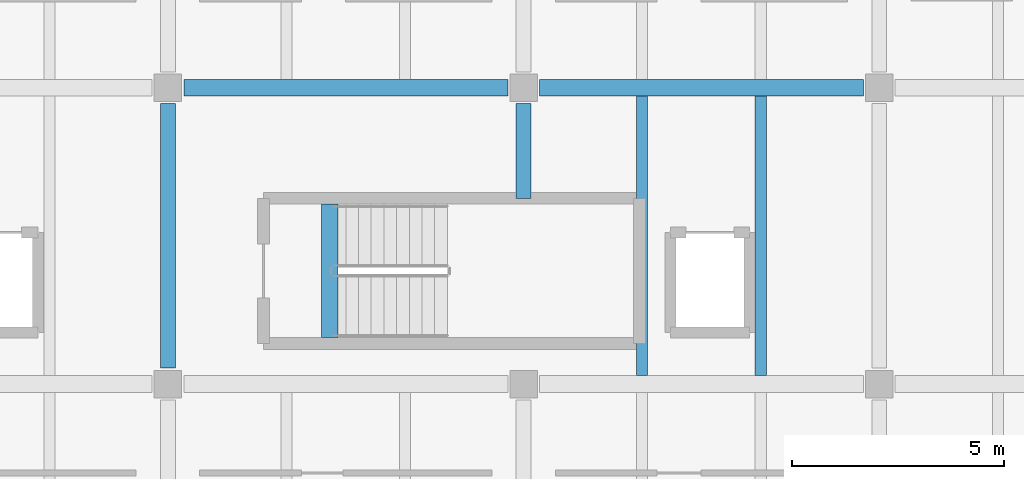
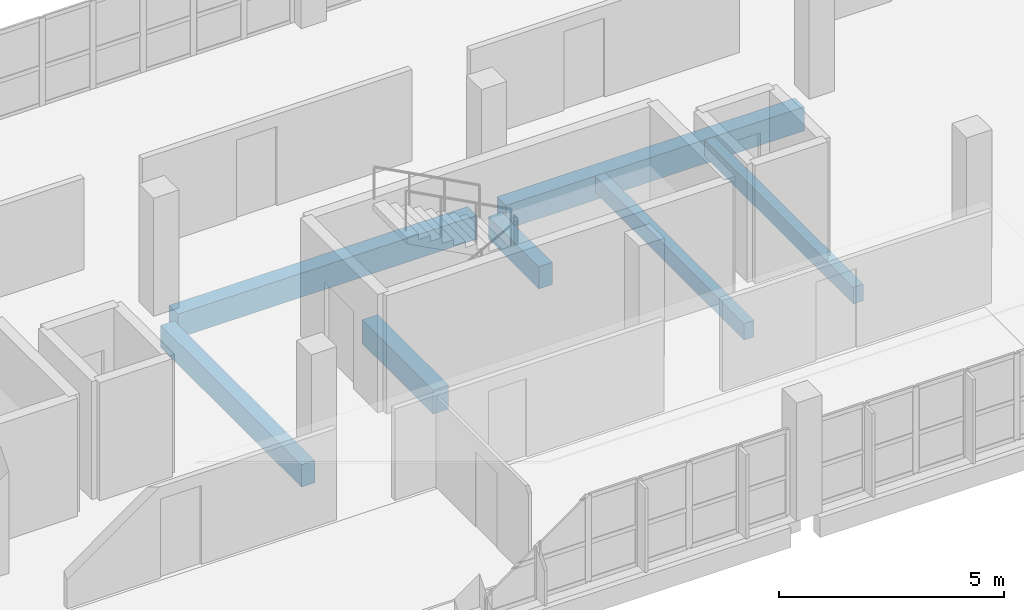
# One storey, part 8 of 33: 7 beams.
"""IFC4 building model written with IfcOpenShell, lengths in metres."""

from ifc_helpers import new_model, si_unit, direction, frame, origin, origin_2d, place, context, subcontext, project, spatial, rectangle, extrude, material, material_profile, profile_set, type_object, element, save


model = new_model("IFC4")

# Units and contexts
model_context = context("Model", 3, precision=1e-05, world=origin(), true_north=direction((0.0, 1.0)))
body_context = subcontext(model_context, "Body", "Model", "MODEL_VIEW")
ifc_project = project(units=[si_unit("LENGTHUNIT", "METRE"), si_unit("AREAUNIT", "SQUARE_METRE"), si_unit("VOLUMEUNIT", "CUBIC_METRE"), si_unit("PLANEANGLEUNIT", "RADIAN"), si_unit("MASSUNIT", "GRAM", prefix="KILO"), si_unit("THERMODYNAMICTEMPERATUREUNIT", "KELVIN"), si_unit("POWERUNIT", "WATT")], contexts=[model_context])

# Site, building, storey
site_placement = place(None, origin())
site = spatial("IfcSite", under=ifc_project, at=site_placement, CompositionType="ELEMENT")
building_placement = place(site_placement, origin())
building = spatial("IfcBuilding", under=site, at=building_placement, Name="Mavoryth Pier Ferry Terminal", CompositionType="ELEMENT")
storey_placement = place(building_placement, frame((0.0, 0.0, 13.1201171875)))
storey = spatial("IfcBuildingStorey", under=building, at=storey_placement, Name="L03", CompositionType="ELEMENT", Elevation=13.1201171875)

# Beams
ifc_material = material(Name="Concrete C35/45", Category="concrete")
ifc_material_profile_1 = material_profile(ifc_material, rectangle(XDim=0.35009765625, YDim=0.60009765625, at=origin_2d()), Name="RC 350x600", Category="concrete")
ifc_profile_set_1 = profile_set([ifc_material_profile_1], Name="Concrete C35/45 - RC 350x600")
beam_type_1 = type_object("IfcBeamType", Name="Girder-RC-350x600", PredefinedType="BEAM", material=ifc_profile_set_1)
beam_1_placement = place(storey_placement, frame((58.800048828125, 7.375, -0.56005859375), z_axis=(0.0, 1.0, 0.0), x_axis=(-1.0, 0.0, 0.0)))
element("IfcBeam", 1, at=beam_1_placement, inside=storey, type_object=beam_type_1, Name="Beam B03-BG08-1264", PredefinedType="BEAM", context=body_context, shape_type="SweptSolid", body=[
    extrude(rectangle(XDim=0.35009765625, YDim=0.60009765625, at=origin_2d()), origin(), (0.0, 0.0, 1.0), 6.25),
])
beam_2_placement = place(storey_placement, frame((67.199951171875, 11.3798828125, -0.56005859375), z_axis=(0.0, 1.0, 0.0), x_axis=(-1.0, 0.0, 0.0)))
element("IfcBeam", 2, at=beam_2_placement, inside=storey, type_object=beam_type_1, Name="Beam B03-BG08-1267", PredefinedType="BEAM", context=body_context, shape_type="SweptSolid", body=[
    extrude(rectangle(XDim=0.35009765625, YDim=0.60009765625, at=origin_2d()), origin(), (0.0, 0.0, 1.0), 2.2451171875),
])
ifc_material_profile_2 = material_profile(ifc_material, rectangle(XDim=0.39990234375, YDim=0.64990234375, at=origin_2d()), Name="RC 400x650", Category="concrete")
ifc_profile_set_2 = profile_set([ifc_material_profile_2], Name="Concrete C35/45 - RC 400x650")
beam_type_2 = type_object("IfcBeamType", Name="Girder-RC-400x650", PredefinedType="BEAM", material=ifc_profile_set_2)
beam_3_placement = place(storey_placement, frame((59.175048828125, 14.0, -0.585205078125), z_axis=(1.0, 0.0, 0.0), x_axis=(0.0, 1.0, 0.0)))
element("IfcBeam", 3, at=beam_3_placement, inside=storey, type_object=beam_type_2, Name="Beam B03-BG05-1247", PredefinedType="BEAM", context=body_context, shape_type="SweptSolid", body=[
    extrude(rectangle(XDim=0.39990234375, YDim=0.64990234375, at=origin_2d()), origin(), (0.0, 0.0, 1.0), 7.64990234375),
])
beam_4_placement = place(storey_placement, frame((67.574951171875, 14.0, -0.585205078125), z_axis=(1.0, 0.0, 0.0), x_axis=(0.0, 1.0, 0.0)))
element("IfcBeam", 4, at=beam_4_placement, inside=storey, type_object=beam_type_2, Name="Beam B03-BG05-1248", PredefinedType="BEAM", context=body_context, shape_type="SweptSolid", body=[
    extrude(rectangle(XDim=0.39990234375, YDim=0.64990234375, at=origin_2d()), origin(), (0.0, 0.0, 1.0), 7.650146484375),
])
beam_5_placement = place(storey_placement, frame((62.6201171875, 8.10009765625, -0.3251953125), z_axis=(0.0, 1.0, 0.0), x_axis=(-1.0, 0.0, 0.0)))
element("IfcBeam", 5, at=beam_5_placement, inside=storey, type_object=beam_type_2, Name="Beam B03-BG05-1590", PredefinedType="BEAM", context=body_context, shape_type="SweptSolid", body=[
    extrude(rectangle(XDim=0.39990234375, YDim=0.64990234375, at=origin_2d()), origin(), (0.0, 0.0, 1.0), 3.14990234375),
])
ifc_material_profile_3 = material_profile(ifc_material, rectangle(XDim=0.260009765625, YDim=0.449951171875, at=origin_2d()), Name="RC 260x450", Category="concrete")
ifc_profile_set_3 = profile_set([ifc_material_profile_3], Name="Concrete C35/45 - RC 260x450")
beam_type_3 = type_object("IfcBeamType", Name="Joist-RC-260x450", PredefinedType="JOIST", material=ifc_profile_set_3)
for number, where, z_axis, x_axis, name in (
    (6, (70.0, 7.199951171875, -0.485107421875), (0.0, 1.0, 0.0), (-1.0, 0.0, 0.0), "Beam B03-BJ03-1294"),
    (7, (72.800048828125, 7.199951171875, -0.485107421875), (0.0, 1.0, 0.0), (-1.0, 0.0, 0.0), "Beam B03-BJ03-1295"),
):
    element("IfcBeam", number, at=place(storey_placement, frame(where, z_axis=z_axis, x_axis=x_axis)), inside=storey, type_object=beam_type_3, Name=name, PredefinedType="JOIST", context=body_context, shape_type="SweptSolid", body=[
        extrude(rectangle(XDim=0.260009765625, YDim=0.449951171875, at=origin_2d()), origin(), (0.0, 0.0, 1.0), 6.60009765625),
    ])

save(model, "model.ifc")
